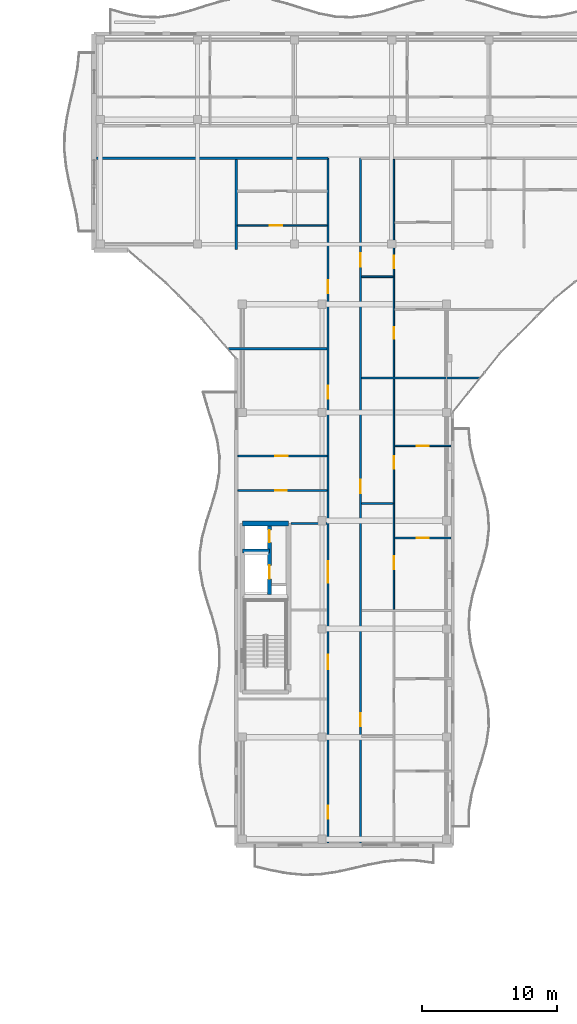
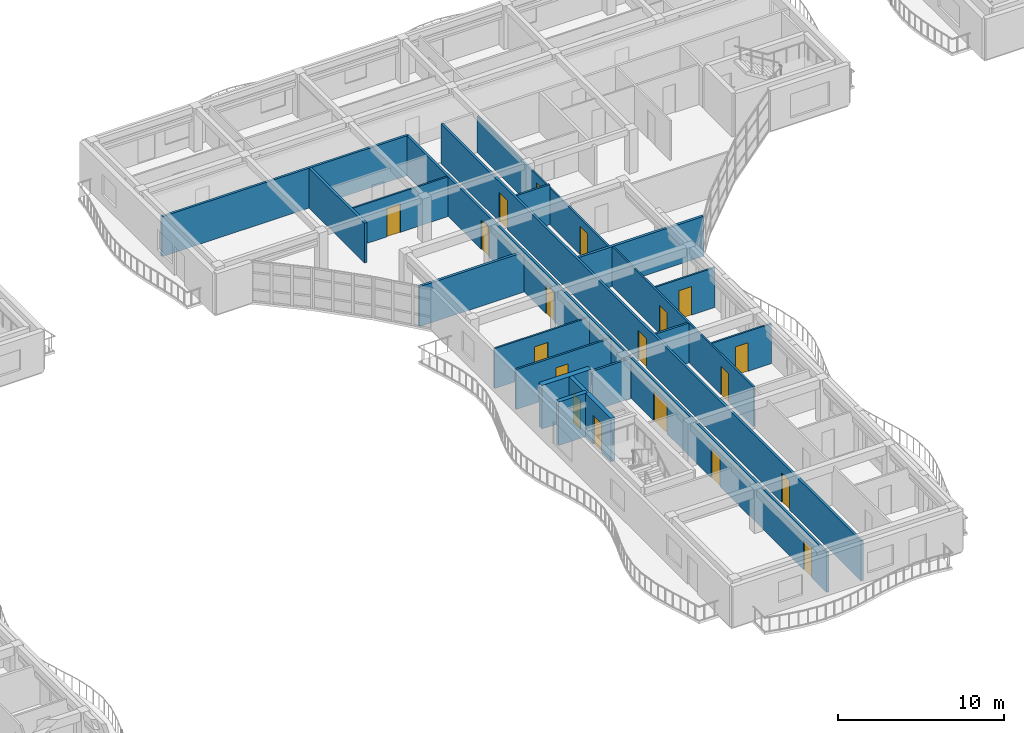
# One storey, part 46 of 79: 19 doors, 19 walls, 19 openings.
"""IFC4 building model written with IfcOpenShell, lengths in metres."""

from ifc_helpers import new_model, si_unit, direction, frame, frame_2d, origin, place, context, subcontext, project, spatial, rectangle, extrude, material, layer, layer_set, type_object, element, fill, save


model = new_model("IFC4")

# Units and contexts
model_context = context("Model", 3, precision=1e-05, world=origin(), true_north=direction((0.0, 1.0)))
body_context = subcontext(model_context, "Body", "Model", "MODEL_VIEW")
ifc_project = project(units=[si_unit("LENGTHUNIT", "METRE"), si_unit("AREAUNIT", "SQUARE_METRE"), si_unit("VOLUMEUNIT", "CUBIC_METRE"), si_unit("PLANEANGLEUNIT", "RADIAN"), si_unit("MASSUNIT", "GRAM", prefix="KILO")], contexts=[model_context])

# Site, building, storey
site_placement = place(None, origin())
site = spatial("IfcSite", under=ifc_project, at=site_placement, CompositionType="ELEMENT")
building_placement = place(site_placement, origin())
building = spatial("IfcBuilding", under=site, at=building_placement, Name="Keldmere Railside Commons", CompositionType="ELEMENT")
storey_placement = place(building_placement, frame((0.0, 0.0, 10.56005859375)))
storey = spatial("IfcBuildingStorey", under=building, at=storey_placement, Name="L03", CompositionType="ELEMENT", Elevation=10.56005859375)

# Walls
ifc_material_1 = material(Name="Acoustic Gypsum Board Partition", Category="gypsum")
ifc_layer_1 = layer(ifc_material_1, 0.179931640625, Name="Acoustic Demising Partition 180")
ifc_layer_set_1 = layer_set([ifc_layer_1], Name="Acoustic Gypsum Board Partition")
wall_type_1 = type_object("IfcWallType", Name="Acoustic Demising Partition 180", PredefinedType="PARTITIONING", material=ifc_layer_set_1)
wall_1_placement = place(storey_placement, frame((104.0, 100.050048828125, 0.0), z_axis=(0.0, 0.0, 1.0), x_axis=(0.0, 1.0, 0.0)))
element("IfcWall", 1, at=wall_1_placement, inside=storey, type_object=wall_type_1, Name="IW-1 IW-L03-1015", PredefinedType="PARTITIONING", context=body_context, shape_type="SweptSolid", body=[
    extrude(rectangle(XDim=6.669921875, YDim=0.179931640625, at=frame_2d((3.3349609375, 0.0))), origin(), (0.0, 0.0, 1.0), 2.93505859375),
])
wall_2_placement = place(storey_placement, frame((113.280029296875, 90.550048828125, 0.0), z_axis=(0.0, 0.0, 1.0), x_axis=(1.0, 0.0, 0.0)))
element("IfcWall", 2, at=wall_2_placement, inside=storey, type_object=wall_type_1, Name="IW-1 IW-L03-1019", PredefinedType="PARTITIONING", context=body_context, shape_type="SweptSolid", body=[
    extrude(rectangle(XDim=8.71435546875, YDim=0.179931640625, at=frame_2d((4.357177734375, 0.0))), origin(), (0.0, 0.0, 1.0), 2.93505859375),
])
wall_3_placement = place(storey_placement, frame((103.447998046875, 92.699951171875, 0.0), z_axis=(0.0, 0.0, 1.0), x_axis=(1.0, 0.0, 0.0)))
element("IfcWall", 3, at=wall_3_placement, inside=storey, type_object=wall_type_1, Name="IW-1 IW-L03-1046", PredefinedType="PARTITIONING", context=body_context, shape_type="SweptSolid", body=[
    extrude(rectangle(XDim=7.27197265625, YDim=0.179931640625, at=frame_2d((3.635986328125, 0.0))), origin(), (0.0, 0.0, 1.0), 2.93505859375),
])

# Wall, openings, doors
ifc_layer_2 = layer(ifc_material_1, 0.1201171875, Name="Apartment Interior Partition 120")
ifc_layer_set_2 = layer_set([ifc_layer_2], Name="Acoustic Gypsum Board Partition")
wall_type_2 = type_object("IfcWallType", Name="Apartment Interior Partition 120", PredefinedType="PARTITIONING", material=ifc_layer_set_2)
wall_4_placement = place(storey_placement, frame((115.659912109375, 73.449951171875, 0.0), z_axis=(0.0, 0.0, 1.0), x_axis=(0.0, 1.0, 0.0)))
wall_4 = element("IfcWall", 4, at=wall_4_placement, inside=storey, type_object=wall_type_2, Name="IW-4 IW-L03-1024", PredefinedType="PARTITIONING", context=body_context, shape_type="SweptSolid", body=[
    extrude(rectangle(XDim=17.010009765625, YDim=0.1201171875, at=frame_2d((8.5048828125, 0.0))), origin(), (0.0, 0.0, 1.0), 2.93505859375),
])
opening_1_placement = place(wall_4_placement, frame((2.9716796875, 0.0, 0.0)))
opening_1 = element("IfcOpeningElement", 5, at=opening_1_placement, cuts=wall_4, Name="Opening ID-05", PredefinedType="OPENING", context=body_context, shape_type="SweptSolid", body=[
    extrude(rectangle(XDim=0.93994140625, YDim=2.10009765625, at=frame_2d((0.469970703125, 1.050048828125))), frame((0.0, 0.070068359375, 0.0), z_axis=(0.0, -1.0, 0.0), x_axis=(1.0, 0.0, 0.0)), (0.0, 0.0, 1.0), 0.14013671875),
])
opening_2_placement = place(wall_4_placement, frame((10.393310546875, 0.0, 0.0)))
opening_2 = element("IfcOpeningElement", 6, at=opening_2_placement, cuts=wall_4, Name="Opening ID-03", PredefinedType="OPENING", context=body_context, shape_type="SweptSolid", body=[
    extrude(rectangle(XDim=0.919921875, YDim=2.10009765625, at=frame_2d((0.4599609375, 1.050048828125))), frame((0.0, 0.070068359375, 0.0), z_axis=(0.0, -1.0, 0.0), x_axis=(1.0, 0.0, 0.0)), (0.0, 0.0, 1.0), 0.14013671875),
])
ifc_material_2 = material(Name="Engineered Oak Timber", Category="wood")
door_type_1 = type_object("IfcDoorType", Name="Accessible Bathroom Door 940x2100", OperationType="NOTDEFINED", PredefinedType="DOOR", material=ifc_material_2)
door_1_placement = place(opening_1_placement, origin())
door_1 = element("IfcDoor", 7, at=door_1_placement, inside=storey, type_object=door_type_1, Name="ID-05 IDR-L03-0890", OperationType="SINGLE_SWING_RIGHT", OverallHeight=2.10009765625, OverallWidth=0.93994140625, PredefinedType="DOOR", context=body_context, shape_type="SweptSolid", body=[
    extrude(rectangle(XDim=0.93994140625, YDim=2.10009765625, at=frame_2d((0.469970703125, 1.050048828125))), frame((0.0, 0.02490234375, 0.0), z_axis=(0.0, -1.0, 0.0), x_axis=(1.0, 0.0, 0.0)), (0.0, 0.0, 1.0), 0.050048828125),
])
fill(opening_1, door_1)
door_type_2 = type_object("IfcDoorType", Name="Kitchen Pocket-Frame Swing Door 920x2100", OperationType="NOTDEFINED", PredefinedType="DOOR", material=ifc_material_2)
door_2_placement = place(opening_2_placement, origin())
door_2 = element("IfcDoor", 8, at=door_2_placement, inside=storey, type_object=door_type_2, Name="ID-03 IDR-L03-0891", OperationType="SINGLE_SWING_LEFT", OverallHeight=2.10009765625, OverallWidth=0.919921875, PredefinedType="DOOR", context=body_context, shape_type="SweptSolid", body=[
    extrude(rectangle(XDim=0.919921875, YDim=2.10009765625, at=frame_2d((0.4599609375, 1.050048828125))), frame((0.0, 0.02490234375, 0.0), z_axis=(0.0, -1.0, 0.0), x_axis=(1.0, 0.0, 0.0)), (0.0, 0.0, 1.0), 0.050048828125),
])
fill(opening_2, door_2)

# Wall, opening, door
wall_5_placement = place(storey_placement, frame((115.719970703125, 78.719970703125, 0.0), z_axis=(0.0, 0.0, 1.0), x_axis=(1.0, 0.0, 0.0)))
wall_5 = element("IfcWall", 9, at=wall_5_placement, inside=storey, type_object=wall_type_2, Name="IW-4 IW-L03-1026", PredefinedType="PARTITIONING", context=body_context, shape_type="SweptSolid", body=[
    extrude(rectangle(XDim=4.159912109375, YDim=0.1201171875, at=frame_2d((2.080078125, 0.0))), origin(), (0.0, 0.0, 1.0), 2.93505859375),
])
opening_3_placement = place(wall_5_placement, frame((1.6298828125, 0.0, 0.0)))
opening_3 = element("IfcOpeningElement", 10, at=opening_3_placement, cuts=wall_5, Name="Opening ID-01", PredefinedType="OPENING", context=body_context, shape_type="SweptSolid", body=[
    extrude(rectangle(XDim=0.89990234375, YDim=2.10009765625, at=frame_2d((0.449951171875, 1.050048828125))), frame((0.0, 0.070068359375, 0.0), z_axis=(0.0, -1.0, 0.0), x_axis=(1.0, 0.0, 0.0)), (0.0, 0.0, 1.0), 0.14013671875),
])
door_type_3 = type_object("IfcDoorType", Name="Primary Bedroom Door 900x2100", OperationType="NOTDEFINED", PredefinedType="DOOR", material=ifc_material_2)
door_3_placement = place(opening_3_placement, origin())
door_3 = element("IfcDoor", 11, at=door_3_placement, inside=storey, type_object=door_type_3, Name="ID-01 IDR-L03-0893", OperationType="SINGLE_SWING_LEFT", OverallHeight=2.10009765625, OverallWidth=0.89990234375, PredefinedType="DOOR", context=body_context, shape_type="SweptSolid", body=[
    extrude(rectangle(XDim=0.89990234375, YDim=2.10009765625, at=frame_2d((0.449951171875, 1.050048828125))), frame((0.0, 0.02490234375, 0.0), z_axis=(0.0, -1.0, 0.0), x_axis=(1.0, 0.0, 0.0)), (0.0, 0.0, 1.0), 0.050048828125),
])
fill(opening_3, door_3)

wall_6_placement = place(storey_placement, frame((115.719970703125, 85.530029296875, 0.0), z_axis=(0.0, 0.0, 1.0), x_axis=(1.0, 0.0, 0.0)))
wall_6 = element("IfcWall", 12, at=wall_6_placement, inside=storey, type_object=wall_type_2, Name="IW-4 IW-L03-1027", PredefinedType="PARTITIONING", context=body_context, shape_type="SweptSolid", body=[
    extrude(rectangle(XDim=4.159912109375, YDim=0.1201171875, at=frame_2d((2.080078125, 0.0))), origin(), (0.0, 0.0, 1.0), 2.93505859375),
])
opening_4_placement = place(wall_6_placement, frame((1.639892578125, 0.0, 0.0)))
opening_4 = element("IfcOpeningElement", 13, at=opening_4_placement, cuts=wall_6, Name="Opening ID-02", PredefinedType="OPENING", context=body_context, shape_type="SweptSolid", body=[
    extrude(rectangle(XDim=0.8798828125, YDim=2.10009765625, at=frame_2d((0.43994140625, 1.050048828125))), frame((0.0, 0.070068359375, 0.0), z_axis=(0.0, -1.0, 0.0), x_axis=(1.0, 0.0, 0.0)), (0.0, 0.0, 1.0), 0.14013671875),
])
door_type_4 = type_object("IfcDoorType", Name="Secondary Bedroom Door 880x2100", OperationType="NOTDEFINED", PredefinedType="DOOR", material=ifc_material_2)
door_4_placement = place(opening_4_placement, origin())
door_4 = element("IfcDoor", 14, at=door_4_placement, inside=storey, type_object=door_type_4, Name="ID-02 IDR-L03-0894", OperationType="SINGLE_SWING_RIGHT", OverallHeight=2.10009765625, OverallWidth=0.8798828125, PredefinedType="DOOR", context=body_context, shape_type="SweptSolid", body=[
    extrude(rectangle(XDim=0.8798828125, YDim=2.10009765625, at=frame_2d((0.43994140625, 1.050048828125))), frame((0.0, 0.02490234375, 0.0), z_axis=(0.0, -1.0, 0.0), x_axis=(1.0, 0.0, 0.0)), (0.0, 0.0, 1.0), 0.050048828125),
])
fill(opening_4, door_4)

# Wall, openings, doors
wall_7_placement = place(storey_placement, frame((115.659912109375, 90.639892578125, 0.0), z_axis=(0.0, 0.0, 1.0), x_axis=(0.0, 1.0, 0.0)))
wall_7 = element("IfcWall", 15, at=wall_7_placement, inside=storey, type_object=wall_type_2, Name="IW-4 IW-L03-1028", PredefinedType="PARTITIONING", context=body_context, shape_type="SweptSolid", body=[
    extrude(rectangle(XDim=16.080078125, YDim=0.1201171875, at=frame_2d((8.0400390625, 0.0))), origin(), (0.0, 0.0, 1.0), 2.679931640625),
])
opening_5_placement = place(wall_7_placement, frame((2.81201171875, 0.0, 0.0)))
opening_5 = element("IfcOpeningElement", 16, at=opening_5_placement, cuts=wall_7, Name="Opening ID-04", PredefinedType="OPENING", context=body_context, shape_type="SweptSolid", body=[
    extrude(rectangle(XDim=0.860107421875, YDim=2.10009765625, at=frame_2d((0.43017578125, 1.050048828125))), frame((0.0, 0.070068359375, 0.0), z_axis=(0.0, -1.0, 0.0), x_axis=(1.0, 0.0, 0.0)), (0.0, 0.0, 1.0), 0.14013671875),
])
opening_6_placement = place(wall_7_placement, frame((8.030517578125, 0.0, 0.0)))
opening_6 = element("IfcOpeningElement", 17, at=opening_6_placement, cuts=wall_7, Name="Opening ID-03", PredefinedType="OPENING", context=body_context, shape_type="SweptSolid", body=[
    extrude(rectangle(XDim=0.919921875, YDim=2.10009765625, at=frame_2d((0.4599609375, 1.050048828125))), frame((0.0, 0.070068359375, 0.0), z_axis=(0.0, -1.0, 0.0), x_axis=(1.0, 0.0, 0.0)), (0.0, 0.0, 1.0), 0.14013671875),
])
door_type_5 = type_object("IfcDoorType", Name="Apartment Bathroom Door 860x2100", OperationType="NOTDEFINED", PredefinedType="DOOR", material=ifc_material_2)
door_5_placement = place(opening_5_placement, origin())
door_5 = element("IfcDoor", 18, at=door_5_placement, inside=storey, type_object=door_type_5, Name="ID-04 IDR-L03-0895", OperationType="SINGLE_SWING_LEFT", OverallHeight=2.10009765625, OverallWidth=0.860107421875, PredefinedType="DOOR", context=body_context, shape_type="SweptSolid", body=[
    extrude(rectangle(XDim=0.860107421875, YDim=2.10009765625, at=frame_2d((0.43017578125, 1.050048828125))), frame((0.0, 0.02490234375, 0.0), z_axis=(0.0, -1.0, 0.0), x_axis=(1.0, 0.0, 0.0)), (0.0, 0.0, 1.0), 0.050048828125),
])
fill(opening_5, door_5)
door_6_placement = place(opening_6_placement, origin())
door_6 = element("IfcDoor", 19, at=door_6_placement, inside=storey, type_object=door_type_2, Name="ID-03 IDR-L03-0896", OperationType="SINGLE_SWING_RIGHT", OverallHeight=2.10009765625, OverallWidth=0.919921875, PredefinedType="DOOR", context=body_context, shape_type="SweptSolid", body=[
    extrude(rectangle(XDim=0.919921875, YDim=2.10009765625, at=frame_2d((0.4599609375, 1.050048828125))), frame((0.0, 0.02490234375, 0.0), z_axis=(0.0, -1.0, 0.0), x_axis=(1.0, 0.0, 0.0)), (0.0, 0.0, 1.0), 0.050048828125),
])
fill(opening_6, door_6)

# Wall, opening, door
wall_8_placement = place(storey_placement, frame((104.1201171875, 84.780029296875, 0.0), z_axis=(0.0, 0.0, 1.0), x_axis=(1.0, 0.0, 0.0)))
wall_8 = element("IfcWall", 20, at=wall_8_placement, inside=storey, type_object=wall_type_2, Name="IW-4 IW-L03-1048", PredefinedType="PARTITIONING", context=body_context, shape_type="SweptSolid", body=[
    extrude(rectangle(XDim=6.599853515625, YDim=0.1201171875, at=frame_2d((3.2998046875, 0.0))), origin(), (0.0, 0.0, 1.0), 2.93505859375),
])
opening_7_placement = place(wall_8_placement, frame((2.77197265625, 0.0, 0.0)))
opening_7 = element("IfcOpeningElement", 21, at=opening_7_placement, cuts=wall_8, Name="Opening ID-03", PredefinedType="OPENING", context=body_context, shape_type="SweptSolid", body=[
    extrude(rectangle(XDim=0.919921875, YDim=2.10009765625, at=frame_2d((0.4599609375, 1.050048828125))), frame((0.0, 0.070068359375, 0.0), z_axis=(0.0, -1.0, 0.0), x_axis=(1.0, 0.0, 0.0)), (0.0, 0.0, 1.0), 0.14013671875),
])
door_7_placement = place(opening_7_placement, origin())
door_7 = element("IfcDoor", 22, at=door_7_placement, inside=storey, type_object=door_type_2, Name="ID-03 IDR-L03-0921", OperationType="SINGLE_SWING_LEFT", OverallHeight=2.10009765625, OverallWidth=0.919921875, PredefinedType="DOOR", context=body_context, shape_type="SweptSolid", body=[
    extrude(rectangle(XDim=0.919921875, YDim=2.10009765625, at=frame_2d((0.4599609375, 1.050048828125))), frame((0.0, 0.02490234375, 0.0), z_axis=(0.0, -1.0, 0.0), x_axis=(1.0, 0.0, 0.0)), (0.0, 0.0, 1.0), 0.050048828125),
])
fill(opening_7, door_7)

wall_9_placement = place(storey_placement, frame((104.090087890625, 101.820068359375, 0.0), z_axis=(0.0, 0.0, 1.0), x_axis=(1.0, 0.0, 0.0)))
wall_9 = element("IfcWall", 23, at=wall_9_placement, inside=storey, type_object=wall_type_2, Name="IW-4 IW-L03-1049", PredefinedType="PARTITIONING", context=body_context, shape_type="SweptSolid", body=[
    extrude(rectangle(XDim=6.6298828125, YDim=0.1201171875, at=frame_2d((3.31494140625, 0.0))), origin(), (0.0, 0.0, 1.0), 2.93505859375),
])
opening_8_placement = place(wall_9_placement, frame((2.384521484375, 0.0, 0.0)))
opening_8 = element("IfcOpeningElement", 24, at=opening_8_placement, cuts=wall_9, Name="Opening ID-03", PredefinedType="OPENING", context=body_context, shape_type="SweptSolid", body=[
    extrude(rectangle(XDim=0.919921875, YDim=2.10009765625, at=frame_2d((0.4599609375, 1.050048828125))), frame((0.0, 0.070068359375, 0.0), z_axis=(0.0, -1.0, 0.0), x_axis=(1.0, 0.0, 0.0)), (0.0, 0.0, 1.0), 0.14013671875),
])
door_8_placement = place(opening_8_placement, origin())
door_8 = element("IfcDoor", 25, at=door_8_placement, inside=storey, type_object=door_type_2, Name="ID-03 IDR-L03-0924", OperationType="SINGLE_SWING_RIGHT", OverallHeight=2.10009765625, OverallWidth=0.919921875, PredefinedType="DOOR", context=body_context, shape_type="SweptSolid", body=[
    extrude(rectangle(XDim=0.919921875, YDim=2.10009765625, at=frame_2d((0.4599609375, 1.050048828125))), frame((0.0, 0.02490234375, 0.0), z_axis=(0.0, -1.0, 0.0), x_axis=(1.0, 0.0, 0.0)), (0.0, 0.0, 1.0), 0.050048828125),
])
fill(opening_8, door_8)

# Wall
ifc_material_3 = material(Name="Concrete H-35 (C35/45)", Category="concrete")
ifc_layer_3 = layer(ifc_material_3, 0.280029296875, Name="Core Shear Wall 280")
ifc_layer_set_3 = layer_set([ifc_layer_3], Name="Concrete H-35 (C35/45)")
wall_type_3 = type_object("IfcWallType", Name="Core Shear Wall 280", PredefinedType="SHEAR", material=ifc_layer_set_3)
wall_10_placement = place(storey_placement, frame((104.4599609375, 77.75, 0.0), z_axis=(0.0, 0.0, 1.0), x_axis=(1.0, 0.0, 0.0)))
element("IfcWall", 26, at=wall_10_placement, inside=storey, type_object=wall_type_3, Name="CSW-2 COREBL-L03-0473", PredefinedType="SHEAR", context=body_context, shape_type="SweptSolid", body=[
    extrude(rectangle(XDim=2.0, YDim=0.280029296875, at=frame_2d((1.0, 0.0))), origin(), (0.0, 0.0, 1.0), 3.199951171875),
])

# Wall, openings, doors
wall_11_placement = place(storey_placement, frame((106.4599609375, 74.550048828125, 0.0), z_axis=(0.0, 0.0, 1.0), x_axis=(0.0, 1.0, 0.0)))
wall_11 = element("IfcWall", 27, at=wall_11_placement, inside=storey, type_object=wall_type_3, Name="CSW-2 LSHB-L03-0474", PredefinedType="SHEAR", context=body_context, shape_type="SweptSolid", body=[
    extrude(rectangle(XDim=5.25, YDim=0.280029296875, at=frame_2d((2.625, 0.0))), origin(), (0.0, 0.0, 1.0), 3.199951171875),
])
opening_9_placement = place(wall_11_placement, frame((1.14990234375, 0.0, 0.0)))
opening_9 = element("IfcOpeningElement", 28, at=opening_9_placement, cuts=wall_11, Name="Opening LD-1", PredefinedType="OPENING", context=body_context, shape_type="SweptSolid", body=[
    extrude(rectangle(XDim=1.0, YDim=2.14990234375, at=frame_2d((0.5, 1.074951171875))), frame((0.0, 0.14990234375, 0.0), z_axis=(0.0, -1.0, 0.0), x_axis=(1.0, 0.0, 0.0)), (0.0, 0.0, 1.0), 0.300048828125),
])
opening_10_placement = place(wall_11_placement, frame((3.85009765625, 0.0, 0.0)))
opening_10 = element("IfcOpeningElement", 29, at=opening_10_placement, cuts=wall_11, Name="Opening LD-2", PredefinedType="OPENING", context=body_context, shape_type="SweptSolid", body=[
    extrude(rectangle(XDim=0.89990234375, YDim=2.14990234375, at=frame_2d((0.449951171875, 1.074951171875))), frame((0.0, 0.14990234375, 0.0), z_axis=(0.0, -1.0, 0.0), x_axis=(1.0, 0.0, 0.0)), (0.0, 0.0, 1.0), 0.300048828125),
])
ifc_material_4 = material(Name="Steel F-24 (S235)", Category="steel")
door_type_6 = type_object("IfcDoorType", Name="Firefighting Stretcher Lift Landing Door 1000x2150", OperationType="SLIDING_TO_LEFT", PredefinedType="DOOR", material=ifc_material_4)
door_9_placement = place(opening_9_placement, origin())
door_9 = element("IfcDoor", 30, at=door_9_placement, inside=storey, type_object=door_type_6, Name="LD-1 B L03", OperationType="SLIDING_TO_LEFT", OverallHeight=2.14990234375, OverallWidth=1.0, PredefinedType="DOOR", context=body_context, shape_type="SweptSolid", body=[
    extrude(rectangle(XDim=1.0, YDim=2.14990234375, at=frame_2d((0.5, 1.074951171875))), frame((0.0, 0.02490234375, 0.0), z_axis=(0.0, -1.0, 0.0), x_axis=(1.0, 0.0, 0.0)), (0.0, 0.0, 1.0), 0.050048828125),
])
fill(opening_9, door_9)
door_type_7 = type_object("IfcDoorType", Name="Passenger Lift Sliding Landing Door 900x2150", OperationType="SLIDING_TO_RIGHT", PredefinedType="DOOR", material=ifc_material_4)
door_10_placement = place(opening_10_placement, origin())
door_10 = element("IfcDoor", 31, at=door_10_placement, inside=storey, type_object=door_type_7, Name="LD-2 B L03", OperationType="SLIDING_TO_RIGHT", OverallHeight=2.14990234375, OverallWidth=0.89990234375, PredefinedType="DOOR", context=body_context, shape_type="SweptSolid", body=[
    extrude(rectangle(XDim=0.89990234375, YDim=2.14990234375, at=frame_2d((0.449951171875, 1.074951171875))), frame((0.0, 0.02490234375, 0.0), z_axis=(0.0, -1.0, 0.0), x_axis=(1.0, 0.0, 0.0)), (0.0, 0.0, 1.0), 0.050048828125),
])
fill(opening_10, door_10)

# Wall
ifc_material_5 = material(Name="Concrete H-40 (C40/50)", Category="concrete")
ifc_layer_4 = layer(ifc_material_5, 0.3798828125, Name="Core Shear Wall 380")
ifc_layer_set_4 = layer_set([ifc_layer_4], Name="Concrete H-40 (C40/50)")
wall_type_4 = type_object("IfcWallType", Name="Core Shear Wall 380", PredefinedType="SHEAR", material=ifc_layer_set_4)
wall_12_placement = place(storey_placement, frame((104.4599609375, 79.800048828125, 0.0), z_axis=(0.0, 0.0, 1.0), x_axis=(1.0, 0.0, 0.0)))
element("IfcWall", 32, at=wall_12_placement, inside=storey, type_object=wall_type_4, Name="CW-CORE COREBN-L03-0469", PredefinedType="SHEAR", context=body_context, shape_type="SweptSolid", body=[
    extrude(rectangle(XDim=3.41015625, YDim=0.3798828125, at=frame_2d((1.705078125, 0.0))), origin(), (0.0, 0.0, 1.0), 3.199951171875),
])

# Wall, openings, doors
ifc_layer_5 = layer(ifc_material_1, 0.159912109375, Name="Corridor Fire Partition 160")
ifc_layer_set_5 = layer_set([ifc_layer_5], Name="Acoustic Gypsum Board Partition")
wall_type_5 = type_object("IfcWallType", Name="Corridor Fire Partition 160", PredefinedType="PARTITIONING", material=ifc_layer_set_5)
wall_13_placement = place(storey_placement, frame((110.800048828125, 56.179931640625, 0.0), z_axis=(0.0, 0.0, 1.0), x_axis=(0.0, 1.0, 0.0)))
wall_13 = element("IfcWall", 33, at=wall_13_placement, inside=storey, type_object=wall_type_5, Name="IW-2 IW-L03-1009", PredefinedType="PARTITIONING", context=body_context, shape_type="SweptSolid", body=[
    extrude(rectangle(XDim=50.6201171875, YDim=0.159912109375, at=frame_2d((25.31005859375, 0.0))), origin(), (0.0, 0.0, 1.0), 2.93505859375),
])
opening_11_placement = place(wall_13_placement, frame((12.820068359375, 0.0, 0.0)))
opening_11 = element("IfcOpeningElement", 34, at=opening_11_placement, cuts=wall_13, Name="Opening FD-2", PredefinedType="OPENING", context=body_context, shape_type="SweptSolid", body=[
    extrude(rectangle(XDim=1.10009765625, YDim=2.14990234375, at=frame_2d((0.550048828125, 1.074951171875))), frame((0.0, 0.08984375, 0.0), z_axis=(0.0, -1.0, 0.0), x_axis=(1.0, 0.0, 0.0)), (0.0, 0.0, 1.0), 0.179931640625),
])
opening_12_placement = place(wall_13_placement, frame((19.219970703125, 0.0, 0.0)))
opening_12 = element("IfcOpeningElement", 35, at=opening_12_placement, cuts=wall_13, Name="Opening FD-4", PredefinedType="OPENING", context=body_context, shape_type="SweptSolid", body=[
    extrude(rectangle(XDim=1.60009765625, YDim=2.14990234375, at=frame_2d((0.800048828125, 1.074951171875))), frame((0.0, 0.08984375, 0.0), z_axis=(0.0, -1.0, 0.0), x_axis=(1.0, 0.0, 0.0)), (0.0, 0.0, 1.0), 0.179931640625),
])
opening_13_placement = place(wall_13_placement, frame((1.800048828125, 0.0, 0.0)))
opening_13 = element("IfcOpeningElement", 36, at=opening_13_placement, cuts=wall_13, Name="Opening ID-08", PredefinedType="OPENING", context=body_context, shape_type="SweptSolid", body=[
    extrude(rectangle(XDim=0.9599609375, YDim=2.14990234375, at=frame_2d((0.47998046875, 1.074951171875))), frame((0.0, 0.08984375, 0.0), z_axis=(0.0, -1.0, 0.0), x_axis=(1.0, 0.0, 0.0)), (0.0, 0.0, 1.0), 0.179931640625),
])
opening_14_placement = place(wall_13_placement, frame((32.824951171875, 0.0, 0.0)))
opening_14 = element("IfcOpeningElement", 37, at=opening_14_placement, cuts=wall_13, Name="Opening FD-7", PredefinedType="OPENING", context=body_context, shape_type="SweptSolid", body=[
    extrude(rectangle(XDim=0.97998046875, YDim=2.14990234375, at=frame_2d((0.489990234375, 1.074951171875))), frame((0.0, 0.08984375, 0.0), z_axis=(0.0, -1.0, 0.0), x_axis=(1.0, 0.0, 0.0)), (0.0, 0.0, 1.0), 0.179931640625),
])
opening_15_placement = place(wall_13_placement, frame((40.635009765625, 0.0, 0.0)))
opening_15 = element("IfcOpeningElement", 38, at=opening_15_placement, cuts=wall_13, Name="Opening FD-7", PredefinedType="OPENING", context=body_context, shape_type="SweptSolid", body=[
    extrude(rectangle(XDim=0.97998046875, YDim=2.14990234375, at=frame_2d((0.489990234375, 1.074951171875))), frame((0.0, 0.08984375, 0.0), z_axis=(0.0, -1.0, 0.0), x_axis=(1.0, 0.0, 0.0)), (0.0, 0.0, 1.0), 0.179931640625),
])
door_type_8 = type_object("IfcDoorType", Name="Apartment Entrance Acoustic Fire Door 980x2150", OperationType="NOTDEFINED", PredefinedType="DOOR", material=ifc_material_2)
door_11_placement = place(opening_14_placement, origin())
door_11 = element("IfcDoor", 39, at=door_11_placement, inside=storey, type_object=door_type_8, Name="FD-7 IDR-L03-0922", OperationType="SINGLE_SWING_RIGHT", OverallHeight=2.14990234375, OverallWidth=0.97998046875, PredefinedType="DOOR", context=body_context, shape_type="SweptSolid", body=[
    extrude(rectangle(XDim=0.97998046875, YDim=2.14990234375, at=frame_2d((0.489990234375, 1.074951171875))), frame((0.0, 0.02490234375, 0.0), z_axis=(0.0, -1.0, 0.0), x_axis=(1.0, 0.0, 0.0)), (0.0, 0.0, 1.0), 0.050048828125),
])
fill(opening_14, door_11)
door_12_placement = place(opening_15_placement, origin())
door_12 = element("IfcDoor", 40, at=door_12_placement, inside=storey, type_object=door_type_8, Name="FD-7 IDR-L03-0925", OperationType="SINGLE_SWING_LEFT", OverallHeight=2.14990234375, OverallWidth=0.97998046875, PredefinedType="DOOR", context=body_context, shape_type="SweptSolid", body=[
    extrude(rectangle(XDim=0.97998046875, YDim=2.14990234375, at=frame_2d((0.489990234375, 1.074951171875))), frame((0.0, 0.02490234375, 0.0), z_axis=(0.0, -1.0, 0.0), x_axis=(1.0, 0.0, 0.0)), (0.0, 0.0, 1.0), 0.050048828125),
])
fill(opening_15, door_12)
door_type_9 = type_object("IfcDoorType", Name="Corridor Cross-Compartment Double Fire Door 1600x2150", OperationType="DOUBLE_DOOR_SINGLE_SWING", PredefinedType="DOOR", material=ifc_material_4)
door_13_placement = place(opening_12_placement, origin())
door_13 = element("IfcDoor", 41, at=door_13_placement, inside=storey, type_object=door_type_9, Name="FD-4 IDR-L03-0884", OperationType="DOUBLE_DOOR_SINGLE_SWING", OverallHeight=2.14990234375, OverallWidth=1.60009765625, PredefinedType="DOOR", context=body_context, shape_type="SweptSolid", body=[
    extrude(rectangle(XDim=1.60009765625, YDim=2.14990234375, at=frame_2d((0.800048828125, 1.074951171875))), frame((0.0, 0.02490234375, 0.0), z_axis=(0.0, -1.0, 0.0), x_axis=(1.0, 0.0, 0.0)), (0.0, 0.0, 1.0), 0.050048828125),
])
fill(opening_12, door_13)
door_type_10 = type_object("IfcDoorType", Name="Firefighting Lobby Fire Door 1100x2150", OperationType="NOTDEFINED", PredefinedType="DOOR", material=ifc_material_4)
door_14_placement = place(opening_11_placement, origin())
door_14 = element("IfcDoor", 42, at=door_14_placement, inside=storey, type_object=door_type_10, Name="FD-2 IDR-L03-0883", OperationType="SINGLE_SWING_LEFT", OverallHeight=2.14990234375, OverallWidth=1.10009765625, PredefinedType="DOOR", context=body_context, shape_type="SweptSolid", body=[
    extrude(rectangle(XDim=1.10009765625, YDim=2.14990234375, at=frame_2d((0.550048828125, 1.074951171875))), frame((0.0, 0.02490234375, 0.0), z_axis=(0.0, -1.0, 0.0), x_axis=(1.0, 0.0, 0.0)), (0.0, 0.0, 1.0), 0.050048828125),
])
fill(opening_11, door_14)
door_type_11 = type_object("IfcDoorType", Name="Study & Meeting Room Door 960x2150", OperationType="NOTDEFINED", PredefinedType="DOOR", material=ifc_material_2)
door_15_placement = place(opening_13_placement, origin())
door_15 = element("IfcDoor", 43, at=door_15_placement, inside=storey, type_object=door_type_11, Name="ID-08 IDR-L03-0919", OperationType="SINGLE_SWING_LEFT", OverallHeight=2.14990234375, OverallWidth=0.9599609375, PredefinedType="DOOR", context=body_context, shape_type="SweptSolid", body=[
    extrude(rectangle(XDim=0.9599609375, YDim=2.14990234375, at=frame_2d((0.47998046875, 1.074951171875))), frame((0.0, 0.02490234375, 0.0), z_axis=(0.0, -1.0, 0.0), x_axis=(1.0, 0.0, 0.0)), (0.0, 0.0, 1.0), 0.050048828125),
])
fill(opening_13, door_15)

wall_14_placement = place(storey_placement, frame((113.199951171875, 56.179931640625, 0.0), z_axis=(0.0, 0.0, 1.0), x_axis=(0.0, 1.0, 0.0)))
wall_14 = element("IfcWall", 44, at=wall_14_placement, inside=storey, type_object=wall_type_5, Name="IW-2 IW-L03-1010", PredefinedType="PARTITIONING", context=body_context, shape_type="SweptSolid", body=[
    extrude(rectangle(XDim=50.6201171875, YDim=0.159912109375, at=frame_2d((25.31005859375, 0.0))), origin(), (0.0, 0.0, 1.0), 2.93505859375),
])
opening_16_placement = place(wall_14_placement, frame((8.610107421875, 0.0, 0.0)))
opening_16 = element("IfcOpeningElement", 45, at=opening_16_placement, cuts=wall_14, Name="Opening FD-7", PredefinedType="OPENING", context=body_context, shape_type="SweptSolid", body=[
    extrude(rectangle(XDim=0.97998046875, YDim=2.14990234375, at=frame_2d((0.489990234375, 1.074951171875))), frame((0.0, 0.08984375, 0.0), z_axis=(0.0, -1.0, 0.0), x_axis=(1.0, 0.0, 0.0)), (0.0, 0.0, 1.0), 0.179931640625),
])
opening_17_placement = place(wall_14_placement, frame((25.840087890625, 0.0, 0.0)))
opening_17 = element("IfcOpeningElement", 46, at=opening_17_placement, cuts=wall_14, Name="Opening FD-8", PredefinedType="OPENING", context=body_context, shape_type="SweptSolid", body=[
    extrude(rectangle(XDim=1.02001953125, YDim=2.14990234375, at=frame_2d((0.510009765625, 1.074951171875))), frame((0.0, 0.08984375, 0.0), z_axis=(0.0, -1.0, 0.0), x_axis=(1.0, 0.0, 0.0)), (0.0, 0.0, 1.0), 0.179931640625),
])
opening_18_placement = place(wall_14_placement, frame((42.610107421875, 0.0, 0.0)))
opening_18 = element("IfcOpeningElement", 47, at=opening_18_placement, cuts=wall_14, Name="Opening FD-7", PredefinedType="OPENING", context=body_context, shape_type="SweptSolid", body=[
    extrude(rectangle(XDim=0.97998046875, YDim=2.14990234375, at=frame_2d((0.489990234375, 1.074951171875))), frame((0.0, 0.08984375, 0.0), z_axis=(0.0, -1.0, 0.0), x_axis=(1.0, 0.0, 0.0)), (0.0, 0.0, 1.0), 0.179931640625),
])
door_type_12 = type_object("IfcDoorType", Name="Adaptable Apartment Entrance Fire Door 1020x2150", OperationType="NOTDEFINED", PredefinedType="DOOR", material=ifc_material_2)
door_16_placement = place(opening_17_placement, origin())
door_16 = element("IfcDoor", 48, at=door_16_placement, inside=storey, type_object=door_type_12, Name="FD-8 IDR-L03-0892", OperationType="SINGLE_SWING_RIGHT", OverallHeight=2.14990234375, OverallWidth=1.02001953125, PredefinedType="DOOR", context=body_context, shape_type="SweptSolid", body=[
    extrude(rectangle(XDim=1.02001953125, YDim=2.14990234375, at=frame_2d((0.510009765625, 1.074951171875))), frame((0.0, 0.02490234375, 0.0), z_axis=(0.0, -1.0, 0.0), x_axis=(1.0, 0.0, 0.0)), (0.0, 0.0, 1.0), 0.050048828125),
])
fill(opening_17, door_16)
door_17_placement = place(opening_16_placement, origin())
door_17 = element("IfcDoor", 49, at=door_17_placement, inside=storey, type_object=door_type_8, Name="FD-7 IDR-L03-0887", OperationType="SINGLE_SWING_LEFT", OverallHeight=2.14990234375, OverallWidth=0.97998046875, PredefinedType="DOOR", context=body_context, shape_type="SweptSolid", body=[
    extrude(rectangle(XDim=0.97998046875, YDim=2.14990234375, at=frame_2d((0.489990234375, 1.074951171875))), frame((0.0, 0.02490234375, 0.0), z_axis=(0.0, -1.0, 0.0), x_axis=(1.0, 0.0, 0.0)), (0.0, 0.0, 1.0), 0.050048828125),
])
fill(opening_16, door_17)
door_18_placement = place(opening_18_placement, origin())
door_18 = element("IfcDoor", 50, at=door_18_placement, inside=storey, type_object=door_type_8, Name="FD-7 IDR-L03-0897", OperationType="SINGLE_SWING_LEFT", OverallHeight=2.14990234375, OverallWidth=0.97998046875, PredefinedType="DOOR", context=body_context, shape_type="SweptSolid", body=[
    extrude(rectangle(XDim=0.97998046875, YDim=2.14990234375, at=frame_2d((0.489990234375, 1.074951171875))), frame((0.0, 0.02490234375, 0.0), z_axis=(0.0, -1.0, 0.0), x_axis=(1.0, 0.0, 0.0)), (0.0, 0.0, 1.0), 0.050048828125),
])
fill(opening_18, door_18)

# Walls
wall_15_placement = place(storey_placement, frame((93.679931640625, 106.800048828125, 0.0), z_axis=(0.0, 0.0, 1.0), x_axis=(1.0, 0.0, 0.0)))
element("IfcWall", 51, at=wall_15_placement, inside=storey, type_object=wall_type_5, Name="IW-2 IW-L03-1011", PredefinedType="PARTITIONING", context=body_context, shape_type="SweptSolid", body=[
    extrude(rectangle(XDim=17.1201171875, YDim=0.159912109375, at=frame_2d((8.56005859375, 0.0))), origin(), (0.0, 0.0, 1.0), 2.93505859375),
])
ifc_layer_6 = layer(ifc_material_1, 0.14990234375, Name="Lobby Rated Partition 150")
ifc_layer_set_6 = layer_set([ifc_layer_6], Name="Acoustic Gypsum Board Partition")
wall_type_6 = type_object("IfcWallType", Name="Lobby Rated Partition 150", PredefinedType="PARTITIONING", material=ifc_layer_set_6)
wall_16_placement = place(storey_placement, frame((108.0400390625, 79.800048828125, 0.0), z_axis=(0.0, 0.0, 1.0), x_axis=(1.0, 0.0, 0.0)))
element("IfcWall", 52, at=wall_16_placement, inside=storey, type_object=wall_type_6, Name="IW-3 IW-L03-1008", PredefinedType="PARTITIONING", context=body_context, shape_type="SweptSolid", body=[
    extrude(rectangle(XDim=2.679931640625, YDim=0.14990234375, at=frame_2d((1.33984375, 0.0))), origin(), (0.0, 0.0, 1.0), 2.93505859375),
])
ifc_layer_7 = layer(ifc_material_1, 0.139892578125, Name="Wet-Room Sanitary Partition 140")
ifc_layer_set_7 = layer_set([ifc_layer_7], Name="Acoustic Gypsum Board Partition")
wall_type_7 = type_object("IfcWallType", Name="Wet-Room Sanitary Partition 140", PredefinedType="PARTITIONING", material=ifc_layer_set_7)
for number, where, z_axis, x_axis, name in (
    (53, (113.280029296875, 81.27001953125, 0.0), (0.0, 0.0, 1.0), (1.0, 0.0, 0.0), "IW-5 IW-L03-1025"),
    (54, (113.280029296875, 98.0400390625, 0.0), (0.0, 0.0, 1.0), (1.0, 0.0, 0.0), "IW-5 IW-L03-1029"),
):
    element("IfcWall", number, at=place(storey_placement, frame(where, z_axis=z_axis, x_axis=x_axis)), inside=storey, type_object=wall_type_7, Name=name, PredefinedType="PARTITIONING", context=body_context, shape_type="SweptSolid", body=[
        extrude(rectangle(XDim=2.320068359375, YDim=0.139892578125, at=frame_2d((1.16015625, 0.0))), origin(), (0.0, 0.0, 1.0), 2.93505859375),
    ])

# Wall, opening, door
wall_17_placement = place(storey_placement, frame((104.1201171875, 82.22998046875, 0.0), z_axis=(0.0, 0.0, 1.0), x_axis=(1.0, 0.0, 0.0)))
wall_17 = element("IfcWall", 55, at=wall_17_placement, inside=storey, type_object=wall_type_7, Name="IW-5 IW-L03-1047", PredefinedType="PARTITIONING", context=body_context, shape_type="SweptSolid", body=[
    extrude(rectangle(XDim=6.599853515625, YDim=0.139892578125, at=frame_2d((3.2998046875, 0.0))), origin(), (0.0, 0.0, 1.0), 2.93505859375),
])
opening_19_placement = place(wall_17_placement, frame((2.77197265625, 0.0, 0.0)))
opening_19 = element("IfcOpeningElement", 56, at=opening_19_placement, cuts=wall_17, Name="Opening ID-04", PredefinedType="OPENING", context=body_context, shape_type="SweptSolid", body=[
    extrude(rectangle(XDim=0.860107421875, YDim=2.10009765625, at=frame_2d((0.43017578125, 1.050048828125))), frame((0.0, 0.079833984375, 0.0), z_axis=(0.0, -1.0, 0.0), x_axis=(1.0, 0.0, 0.0)), (0.0, 0.0, 1.0), 0.159912109375),
])
door_19_placement = place(opening_19_placement, origin())
door_19 = element("IfcDoor", 57, at=door_19_placement, inside=storey, type_object=door_type_5, Name="ID-04 IDR-L03-0920", OperationType="SINGLE_SWING_RIGHT", OverallHeight=2.10009765625, OverallWidth=0.860107421875, PredefinedType="DOOR", context=body_context, shape_type="SweptSolid", body=[
    extrude(rectangle(XDim=0.860107421875, YDim=2.10009765625, at=frame_2d((0.43017578125, 1.050048828125))), frame((0.0, 0.02490234375, 0.0), z_axis=(0.0, -1.0, 0.0), x_axis=(1.0, 0.0, 0.0)), (0.0, 0.0, 1.0), 0.050048828125),
])
fill(opening_19, door_19)

save(model, "model.ifc")
